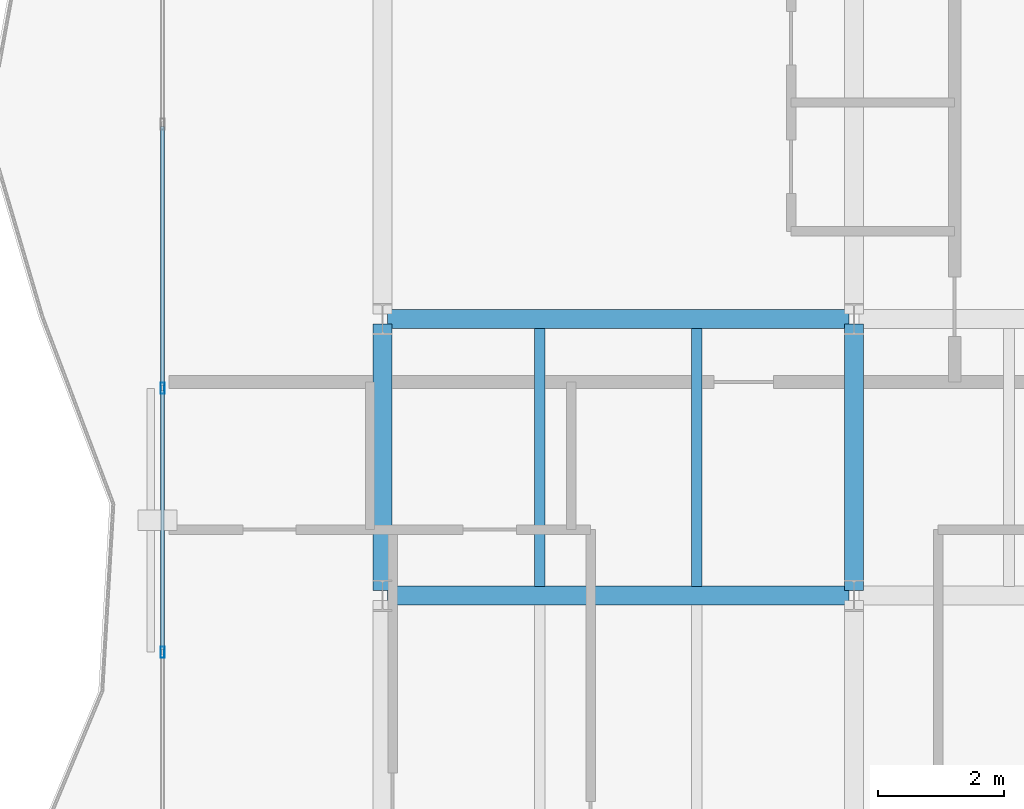
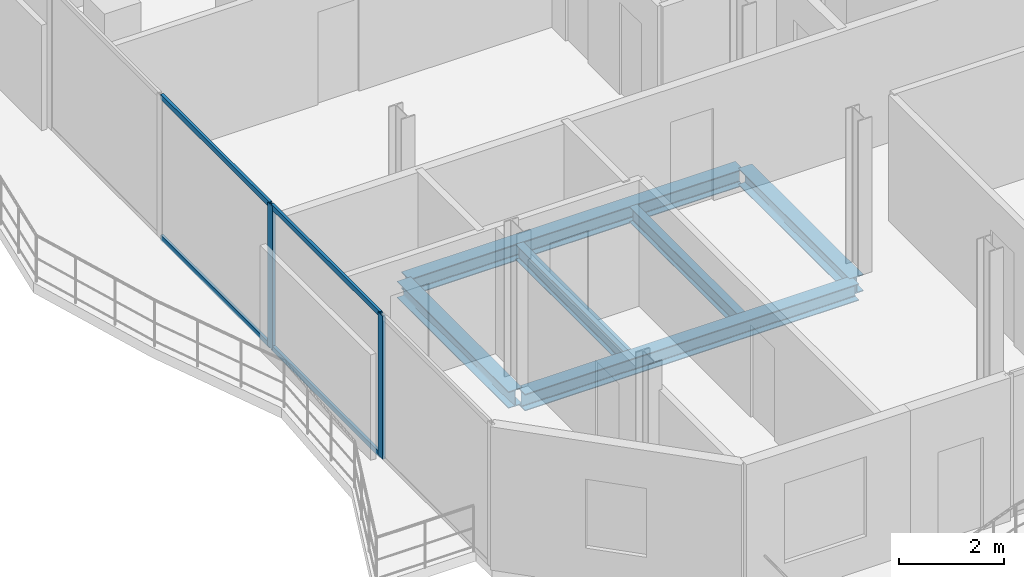
# One storey, part 5 of 24: 6 beams, 6 members, 1 element without a shape of its own.
"""IFC4 building model written with IfcOpenShell, lengths in metres."""

from ifc_helpers import new_model, si_unit, direction, frame, origin, origin_2d, place, context, subcontext, project, spatial, hollow_rectangle, i_section, extrude, material, layer, layer_set, material_profile, profile_set, type_object, element, aggregate, save


model = new_model("IFC4")

# Units and contexts
model_context = context("Model", 3, precision=1e-05, world=origin(), true_north=direction((0.0, 1.0)))
body_context = subcontext(model_context, "Body", "Model", "MODEL_VIEW")
ifc_project = project(units=[si_unit("LENGTHUNIT", "METRE"), si_unit("AREAUNIT", "SQUARE_METRE"), si_unit("VOLUMEUNIT", "CUBIC_METRE"), si_unit("PLANEANGLEUNIT", "RADIAN"), si_unit("MASSUNIT", "GRAM", prefix="KILO")], contexts=[model_context])

# Site, building, storey
site_placement = place(None, origin())
site = spatial("IfcSite", under=ifc_project, at=site_placement, CompositionType="ELEMENT")
building_placement = place(site_placement, origin())
building = spatial("IfcBuilding", under=site, at=building_placement, Name="Catumbela Crestline Tower", CompositionType="ELEMENT")
storey_placement = place(building_placement, frame((0.0, 0.0, 154.2)))
storey = spatial("IfcBuildingStorey", under=building, at=storey_placement, Name="L39", CompositionType="ELEMENT", Elevation=154.2)

# Beams
ifc_material_1 = material(Name="Structural steel S355J2", Category="steel")
ifc_material_profile_1 = material_profile(ifc_material_1, i_section(OverallWidth=0.3, OverallDepth=0.39, WebThickness=0.011, FlangeThickness=0.019, FilletRadius=0.027, at=origin_2d()), Name="HEA 400")
ifc_profile_set_1 = profile_set([ifc_material_profile_1], Name="Structural steel S355J2")
beam_type_1 = type_object("IfcBeamType", Name="BG-HEA400", PredefinedType="BEAM", material=ifc_profile_set_1)
for number, where, z_axis, x_axis, name in (
    (1, (8.58, 13.6, -0.455), (1.0, 0.0, 0.0), (0.0, 1.0, 0.0), "L39 Beam BM-L39-WEW33"),
    (2, (8.58, 18.0, -0.455), (1.0, 0.0, 0.0), (0.0, 1.0, 0.0), "L39 Beam BM-L39-WEW35"),
):
    element("IfcBeam", number, at=place(storey_placement, frame(where, z_axis=z_axis, x_axis=x_axis)), inside=storey, type_object=beam_type_1, Name=name, PredefinedType="BEAM", context=body_context, shape_type="SweptSolid", body=[
        extrude(i_section(OverallWidth=0.3, OverallDepth=0.39, WebThickness=0.011, FlangeThickness=0.019, FilletRadius=0.027, at=origin_2d()), origin(), (0.0, 0.0, 1.0), 7.34),
    ])
for number, where, z_axis, x_axis, name in (
    (3, (8.5, 13.68, -0.455), (0.0, 1.0, 0.0), (-1.0, 0.0, 0.0), "L39 Beam BM-L39-WNS38"),
    (4, (16.0, 13.68, -0.455), (0.0, 1.0, 0.0), (-1.0, 0.0, 0.0), "L39 Beam BM-L39-WNS41"),
):
    element("IfcBeam", number, at=place(storey_placement, frame(where, z_axis=z_axis, x_axis=x_axis)), inside=storey, type_object=beam_type_1, Name=name, PredefinedType="BEAM", context=body_context, shape_type="SweptSolid", body=[
        extrude(i_section(OverallWidth=0.3, OverallDepth=0.39, WebThickness=0.011, FlangeThickness=0.019, FilletRadius=0.027, at=origin_2d()), origin(), (0.0, 0.0, 1.0), 4.24),
    ])
ifc_material_profile_2 = material_profile(ifc_material_1, i_section(OverallWidth=0.17, OverallDepth=0.36, WebThickness=0.008, FlangeThickness=0.0127, FilletRadius=0.018, at=origin_2d()), Name="IPE 360")
ifc_profile_set_2 = profile_set([ifc_material_profile_2], Name="Structural steel S355J2")
beam_type_2 = type_object("IfcBeamType", Name="BJ-IPE360", PredefinedType="JOIST", material=ifc_profile_set_2)
for number, where, z_axis, x_axis, name in (
    (5, (11.0, 13.747, -0.44), (0.0, 1.0, 0.0), (-1.0, 0.0, 0.0), "L39 Joist JS-L39-WG46"),
    (6, (13.5, 13.747, -0.44), (0.0, 1.0, 0.0), (-1.0, 0.0, 0.0), "L39 Joist JS-L39-WG47"),
):
    element("IfcBeam", number, at=place(storey_placement, frame(where, z_axis=z_axis, x_axis=x_axis)), inside=storey, type_object=beam_type_2, Name=name, PredefinedType="JOIST", context=body_context, shape_type="SweptSolid", body=[
        extrude(i_section(OverallWidth=0.17, OverallDepth=0.36, WebThickness=0.008, FlangeThickness=0.0127, FilletRadius=0.018, at=origin_2d()), origin(), (0.0, 0.0, 1.0), 4.106),
    ])

# Curtain wall, members
ifc_material_2 = material(Name="Aluminium alloy AW-6060-T66", Category="aluminium")
ifc_layer = layer(ifc_material_2, 0.18, Name="Aluminium alloy AW-6060-T66")
ifc_layer_set = layer_set([ifc_layer], Name="Aluminium alloy AW-6060-T66")
curtain_wall_type = type_object("IfcCurtainWallType", Name="CWU-Z3", PredefinedType="USERDEFINED", material=ifc_layer_set)
curtain_wall_placement = place(storey_placement, origin())
curtain_wall = element("IfcCurtainWall", 7, at=curtain_wall_placement, inside=storey, type_object=curtain_wall_type, Name="L39 Unitised Curtain Wall CW-L39-E9S2", ObjectType="UNITISED", PredefinedType="USERDEFINED")
ifc_material_profile_3 = material_profile(ifc_material_2, hollow_rectangle(XDim=0.065, YDim=0.18, WallThickness=0.004, at=origin_2d()), Name="ALU 180x65x4")
ifc_profile_set_3 = profile_set([ifc_material_profile_3], Name="Aluminium alloy AW-6060-T66")
member_type_1 = type_object("IfcMemberType", Name="MUL-180X65", PredefinedType="MULLION", material=ifc_profile_set_3)
member_1_placement = place(storey_placement, frame((5.0, 16.9, 0.0), z_axis=(0.0, 0.0, 1.0), x_axis=(1.0, 0.0, 0.0)))
member_1 = element("IfcMember", 8, at=member_1_placement, type_object=member_type_1, Name="CWU-Z3 mullion 5", PredefinedType="MULLION", context=body_context, shape_type="SweptSolid", body=[
    extrude(hollow_rectangle(XDim=0.065, YDim=0.18, WallThickness=0.004, at=origin_2d()), origin(), (0.0, 0.0, 1.0), 3.33),
])
member_2_placement = place(storey_placement, frame((5.0, 12.7, 0.0), z_axis=(0.0, 0.0, 1.0), x_axis=(1.0, 0.0, 0.0)))
member_2 = element("IfcMember", 9, at=member_2_placement, type_object=member_type_1, Name="CWU-Z3 mullion 6", PredefinedType="MULLION", context=body_context, shape_type="SweptSolid", body=[
    extrude(hollow_rectangle(XDim=0.065, YDim=0.18, WallThickness=0.004, at=origin_2d()), origin(), (0.0, 0.0, 1.0), 3.33),
])
ifc_material_profile_4 = material_profile(ifc_material_2, hollow_rectangle(XDim=0.06, YDim=0.12, WallThickness=0.0035, at=origin_2d()), Name="ALU 120x60x3.5")
ifc_profile_set_4 = profile_set([ifc_material_profile_4], Name="Aluminium alloy AW-6060-T66")
member_type_2 = type_object("IfcMemberType", Name="TRN-120X60", PredefinedType="USERDEFINED", material=ifc_profile_set_4)
member_3_placement = place(storey_placement, frame((5.0, 21.0675, 0.03), z_axis=(0.0, -1.0, 0.0), x_axis=(1.0, 0.0, 0.0)))
member_3 = element("IfcMember", 10, at=member_3_placement, type_object=member_type_2, Name="CWU-Z3 transom 4.1", ObjectType="TRANSOM", PredefinedType="USERDEFINED", context=body_context, shape_type="SweptSolid", body=[
    extrude(hollow_rectangle(XDim=0.06, YDim=0.12, WallThickness=0.0035, at=origin_2d()), origin(), (0.0, 0.0, 1.0), 4.135),
])
member_4_placement = place(storey_placement, frame((5.0, 21.0675, 3.3), z_axis=(0.0, -1.0, 0.0), x_axis=(1.0, 0.0, 0.0)))
member_4 = element("IfcMember", 11, at=member_4_placement, type_object=member_type_2, Name="CWU-Z3 transom 4.2", ObjectType="TRANSOM", PredefinedType="USERDEFINED", context=body_context, shape_type="SweptSolid", body=[
    extrude(hollow_rectangle(XDim=0.06, YDim=0.12, WallThickness=0.0035, at=origin_2d()), origin(), (0.0, 0.0, 1.0), 4.135),
])
member_5_placement = place(storey_placement, frame((5.0, 16.8675, 0.03), z_axis=(0.0, -1.0, 0.0), x_axis=(1.0, 0.0, 0.0)))
member_5 = element("IfcMember", 12, at=member_5_placement, type_object=member_type_2, Name="CWU-Z3 transom 5.1", ObjectType="TRANSOM", PredefinedType="USERDEFINED", context=body_context, shape_type="SweptSolid", body=[
    extrude(hollow_rectangle(XDim=0.06, YDim=0.12, WallThickness=0.0035, at=origin_2d()), origin(), (0.0, 0.0, 1.0), 4.135),
])
member_6_placement = place(storey_placement, frame((5.0, 16.8675, 3.3), z_axis=(0.0, -1.0, 0.0), x_axis=(1.0, 0.0, 0.0)))
member_6 = element("IfcMember", 13, at=member_6_placement, type_object=member_type_2, Name="CWU-Z3 transom 5.2", ObjectType="TRANSOM", PredefinedType="USERDEFINED", context=body_context, shape_type="SweptSolid", body=[
    extrude(hollow_rectangle(XDim=0.06, YDim=0.12, WallThickness=0.0035, at=origin_2d()), origin(), (0.0, 0.0, 1.0), 4.135),
])
aggregate(curtain_wall, [member_1, member_2, member_3, member_4, member_5, member_6])

save(model, "model.ifc")
